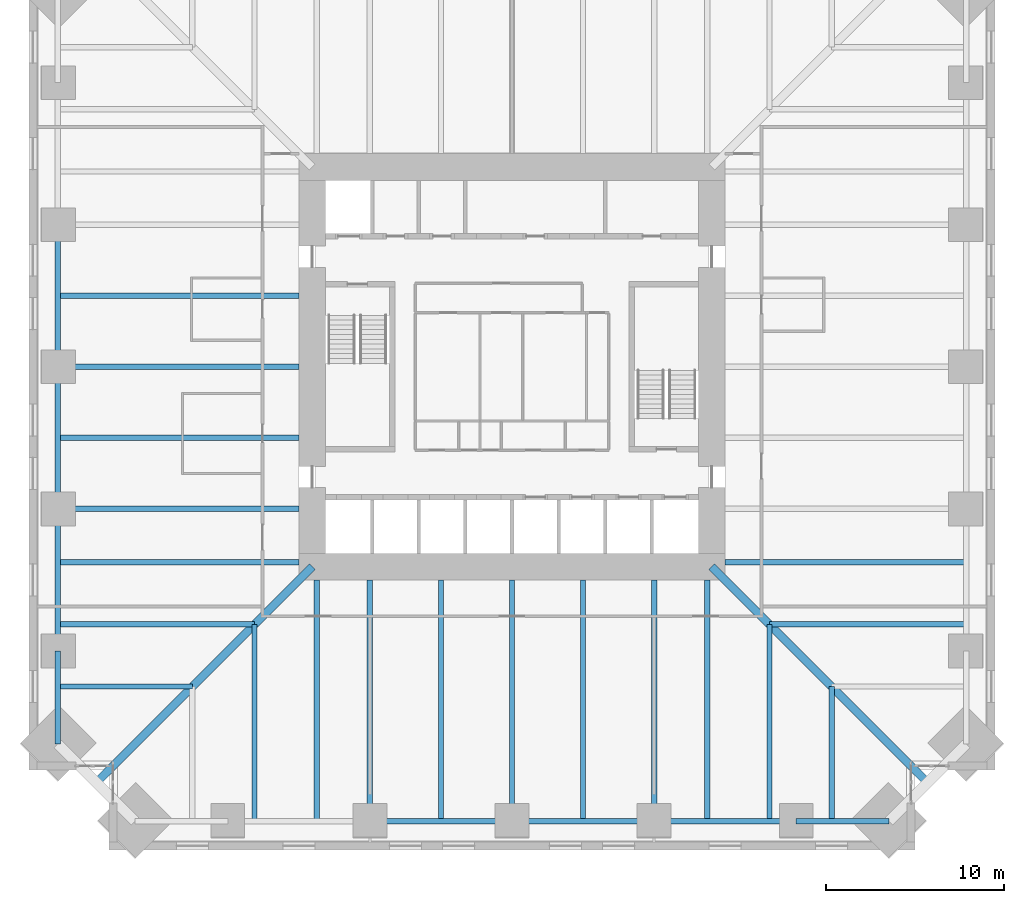
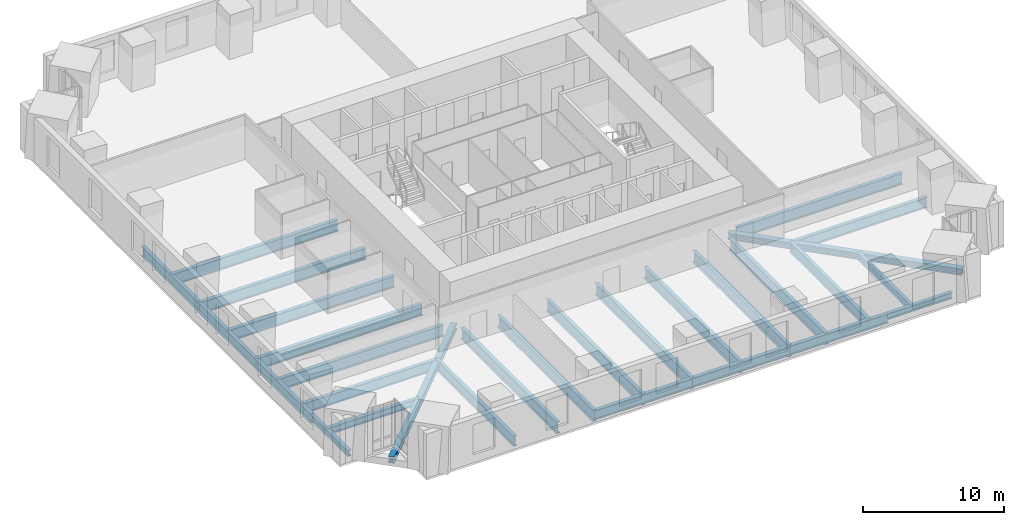
# One storey, part 3 of 16: 29 beams.
"""IFC4 building model written with IfcOpenShell, lengths in metres."""

from ifc_helpers import new_model, si_unit, direction, frame, origin, origin_2d, place, context, subcontext, project, spatial, i_section, extrude, material, material_profile, profile_set, type_object, element, save


model = new_model("IFC4")

# Units and contexts
model_context = context("Model", 3, precision=1e-05, world=origin(), true_north=direction((0.0, 1.0)))
body_context = subcontext(model_context, "Body", "Model", "MODEL_VIEW")
ifc_project = project(units=[si_unit("LENGTHUNIT", "METRE"), si_unit("AREAUNIT", "SQUARE_METRE"), si_unit("VOLUMEUNIT", "CUBIC_METRE"), si_unit("PLANEANGLEUNIT", "RADIAN"), si_unit("MASSUNIT", "GRAM", prefix="KILO")], contexts=[model_context])

# Site, building, storey
site_placement = place(None, origin())
site = spatial("IfcSite", under=ifc_project, at=site_placement, CompositionType="ELEMENT")
building_placement = place(site_placement, origin())
building = spatial("IfcBuilding", under=site, at=building_placement, Name="Peilmerk Tower", CompositionType="ELEMENT")
storey_placement = place(building_placement, frame((0.0, 0.0, 131.800048828125)))
storey = spatial("IfcBuildingStorey", under=building, at=storey_placement, Name="L26", CompositionType="ELEMENT", Elevation=131.800048828125)

# Beams
ifc_material_1 = material(Name="Steel S355", Category="steel")
ifc_material_profile_1 = material_profile(ifc_material_1, i_section(OverallWidth=0.302978515625, OverallDepth=0.81396484375, WebThickness=0.02099609375, FlangeThickness=0.0400390625, at=origin_2d()), Name="HEM 800")
ifc_profile_set_1 = profile_set([ifc_material_profile_1], Name="Steel S355")
beam_type_1 = type_object("IfcBeamType", Name="B15 HEM 800 edge beam", PredefinedType="SPANDREL", material=ifc_profile_set_1)
for number, where, z_axis, x_axis, name in (
    (1, (-8.0, -25.582275390625, -0.5771484375), (1.0, 0.0, 0.0), (0.0, 1.0, 0.0), "Edge beam L26"),
    (2, (0.0, -25.582275390625, -0.5771484375), (1.0, 0.0, 0.0), (0.0, 1.0, 0.0), "Edge beam L26"),
    (3, (8.0, -25.582275390625, -0.5771484375), (1.0, 0.0, 0.0), (0.0, 1.0, 0.0), "Edge beam L26"),
    (4, (-25.582275390625, 8.0, -0.5771484375), (0.0, -1.0, 0.0), (1.0, 0.0, 0.0), "Edge beam L26"),
    (5, (-25.582275390625, 0.0, -0.5771484375), (0.0, -1.0, 0.0), (1.0, 0.0, 0.0), "Edge beam L26"),
    (6, (-25.582275390625, -8.0, -0.5771484375), (0.0, -1.0, 0.0), (1.0, 0.0, 0.0), "Edge beam L26"),
):
    element("IfcBeam", number, at=place(storey_placement, frame(where, z_axis=z_axis, x_axis=x_axis)), inside=storey, type_object=beam_type_1, Name=name, PredefinedType="SPANDREL", context=body_context, shape_type="SweptSolid", body=[
        extrude(i_section(OverallWidth=0.302978515625, OverallDepth=0.81396484375, WebThickness=0.02099609375, FlangeThickness=0.0400390625, at=origin_2d()), origin(), (0.0, 0.0, 1.0), 8.0),
    ])
ifc_material_profile_2 = material_profile(ifc_material_1, i_section(OverallWidth=0.302001953125, OverallDepth=1.008056640625, WebThickness=0.02099609375, FlangeThickness=0.0400390625, at=origin_2d()), Name="HEM 1000")
ifc_profile_set_2 = profile_set([ifc_material_profile_2], Name="Steel S355")
beam_type_2 = type_object("IfcBeamType", Name="B24 HEM 1000 floor girder", PredefinedType="BEAM", material=ifc_profile_set_2)
for number, where, z_axis, x_axis, name in (
    (7, (12.0, -11.0, -0.674072265625), (1.0, 0.0, 0.0), (0.0, 1.0, 0.0), "Floor beam L26"),
    (8, (-11.0, -12.0, -0.674072265625), (0.0, -1.0, 0.0), (1.0, 0.0, 0.0), "Floor beam L26"),
    (9, (-8.0, -12.0, -0.674072265625), (0.0, -1.0, 0.0), (1.0, 0.0, 0.0), "Floor beam L26"),
    (10, (-4.0, -12.0, -0.674072265625), (0.0, -1.0, 0.0), (1.0, 0.0, 0.0), "Floor beam L26"),
    (11, (0.0, -12.0, -0.674072265625), (0.0, -1.0, 0.0), (1.0, 0.0, 0.0), "Floor beam L26"),
    (12, (4.0, -12.0, -0.674072265625), (0.0, -1.0, 0.0), (1.0, 0.0, 0.0), "Floor beam L26"),
    (13, (8.0, -12.0, -0.674072265625), (0.0, -1.0, 0.0), (1.0, 0.0, 0.0), "Floor beam L26"),
    (14, (11.0, -12.0, -0.674072265625), (0.0, -1.0, 0.0), (1.0, 0.0, 0.0), "Floor beam L26"),
    (15, (-12.0, 4.0, -0.674072265625), (-1.0, 0.0, 0.0), (0.0, -1.0, 0.0), "Floor beam L26"),
    (16, (-12.0, 0.0, -0.674072265625), (-1.0, 0.0, 0.0), (0.0, -1.0, 0.0), "Floor beam L26"),
    (17, (-12.0, -4.0, -0.674072265625), (-1.0, 0.0, 0.0), (0.0, -1.0, 0.0), "Floor beam L26"),
    (18, (-12.0, -8.0, -0.674072265625), (-1.0, 0.0, 0.0), (0.0, -1.0, 0.0), "Floor beam L26"),
    (19, (-12.0, -11.0, -0.674072265625), (-1.0, 0.0, 0.0), (0.0, -1.0, 0.0), "Floor beam L26"),
):
    element("IfcBeam", number, at=place(storey_placement, frame(where, z_axis=z_axis, x_axis=x_axis)), inside=storey, type_object=beam_type_2, Name=name, PredefinedType="BEAM", context=body_context, shape_type="SweptSolid", body=[
        extrude(i_section(OverallWidth=0.302001953125, OverallDepth=1.008056640625, WebThickness=0.02099609375, FlangeThickness=0.0400390625, at=origin_2d()), origin(), (0.0, 0.0, 1.0), 13.582275390625),
    ])
ifc_material_profile_3 = material_profile(ifc_material_1, i_section(OverallWidth=0.300048828125, OverallDepth=0.590087890625, WebThickness=0.012939453125, FlangeThickness=0.02490234375, at=origin_2d()), Name="HEA 600")
ifc_profile_set_3 = profile_set([ifc_material_profile_3], Name="Steel S355")
beam_type_3 = type_object("IfcBeamType", Name="B27 HEA 600 floor beam", PredefinedType="BEAM", material=ifc_profile_set_3)
for number, where, z_axis, x_axis, name in (
    (20, (18.0, -18.0, -0.465087890625), (0.0, -1.0, 0.0), (1.0, 0.0, 0.0), "Floor beam L26"),
    (21, (-18.0, -18.0, -0.465087890625), (-1.0, 0.0, 0.0), (0.0, -1.0, 0.0), "Floor beam L26"),
):
    element("IfcBeam", number, at=place(storey_placement, frame(where, z_axis=z_axis, x_axis=x_axis)), inside=storey, type_object=beam_type_3, Name=name, PredefinedType="BEAM", context=body_context, shape_type="SweptSolid", body=[
        extrude(i_section(OverallWidth=0.300048828125, OverallDepth=0.590087890625, WebThickness=0.012939453125, FlangeThickness=0.02490234375, at=origin_2d()), origin(), (0.0, 0.0, 1.0), 7.582275390625),
    ])
ifc_material_profile_4 = material_profile(ifc_material_1, i_section(OverallWidth=0.305908203125, OverallDepth=0.52392578125, WebThickness=0.02099609375, FlangeThickness=0.0400390625, at=origin_2d()), Name="HEM 500")
ifc_profile_set_4 = profile_set([ifc_material_profile_4], Name="Steel S355")
beam_type_4 = type_object("IfcBeamType", Name="B33 HEM 500 edge beam", PredefinedType="SPANDREL", material=ifc_profile_set_4)
for number, where, z_axis, x_axis, name in (
    (22, (16.0, -25.582275390625, -0.43212890625), (1.0, 0.0, 0.0), (0.0, 1.0, 0.0), "Edge beam L26"),
    (23, (-25.582275390625, -16.0, -0.43212890625), (0.0, -1.0, 0.0), (1.0, 0.0, 0.0), "Edge beam L26"),
):
    element("IfcBeam", number, at=place(storey_placement, frame(where, z_axis=z_axis, x_axis=x_axis)), inside=storey, type_object=beam_type_4, Name=name, PredefinedType="SPANDREL", context=body_context, shape_type="SweptSolid", body=[
        extrude(i_section(OverallWidth=0.305908203125, OverallDepth=0.52392578125, WebThickness=0.02099609375, FlangeThickness=0.0400390625, at=origin_2d()), origin(), (0.0, 0.0, 1.0), 5.232177734375),
    ])
ifc_material_profile_5 = material_profile(ifc_material_1, i_section(OverallWidth=0.300048828125, OverallDepth=0.889892578125, WebThickness=0.01611328125, FlangeThickness=0.030029296875, at=origin_2d()), Name="HEA 900")
ifc_profile_set_5 = profile_set([ifc_material_profile_5], Name="Steel S355")
beam_type_5 = type_object("IfcBeamType", Name="B4 HEA 900 floor beam", PredefinedType="BEAM", material=ifc_profile_set_5)
for number, where, z_axis, x_axis, name in (
    (24, (14.5, -14.5, -0.614990234375), (0.0, -1.0, 0.0), (1.0, 0.0, 0.0), "Floor beam L26"),
    (25, (14.5, -14.5, -0.614990234375), (1.0, 0.0, 0.0), (0.0, 1.0, 0.0), "Floor beam L26"),
    (26, (-14.5, -14.5, -0.614990234375), (0.0, -1.0, 0.0), (1.0, 0.0, 0.0), "Floor beam L26"),
    (27, (-14.5, -14.5, -0.614990234375), (-1.0, 0.0, 0.0), (0.0, -1.0, 0.0), "Floor beam L26"),
):
    element("IfcBeam", number, at=place(storey_placement, frame(where, z_axis=z_axis, x_axis=x_axis)), inside=storey, type_object=beam_type_5, Name=name, PredefinedType="BEAM", context=body_context, shape_type="SweptSolid", body=[
        extrude(i_section(OverallWidth=0.300048828125, OverallDepth=0.889892578125, WebThickness=0.01611328125, FlangeThickness=0.030029296875, at=origin_2d()), origin(), (0.0, 0.0, 1.0), 11.082275390625),
    ])
ifc_material_2 = material(Name="Steel S460", Category="steel")
ifc_material_profile_6 = material_profile(ifc_material_2, i_section(OverallWidth=0.4541015625, OverallDepth=0.569091796875, WebThickness=0.077880859375, FlangeThickness=0.125, at=origin_2d()), Name="HD 400x1086")
ifc_profile_set_6 = profile_set([ifc_material_profile_6], Name="Steel S460")
beam_type_6 = type_object("IfcBeamType", Name="B9 HD 400x1086 corner girder", PredefinedType="BEAM", material=ifc_profile_set_6)
for number, where, z_axis, x_axis, name in (
    (28, (11.25, -11.25, -0.45458984375), (0.707106781187, -0.707106781187, 0.0), (0.707106781187, 0.707106781187, 0.0), "Corner girder L26"),
    (29, (-11.25, -11.25, -0.45458984375), (-0.707106781187, -0.707106781187, 0.0), (0.707106781187, -0.707106781187, 0.0), "Corner girder L26"),
):
    element("IfcBeam", number, at=place(storey_placement, frame(where, z_axis=z_axis, x_axis=x_axis)), inside=storey, type_object=beam_type_6, Name=name, PredefinedType="BEAM", context=body_context, shape_type="SweptSolid", body=[
        extrude(i_section(OverallWidth=0.4541015625, OverallDepth=0.569091796875, WebThickness=0.077880859375, FlangeThickness=0.125, at=origin_2d()), origin(), (0.0, 0.0, 1.0), 17.19287109375),
    ])

save(model, "model.ifc")
